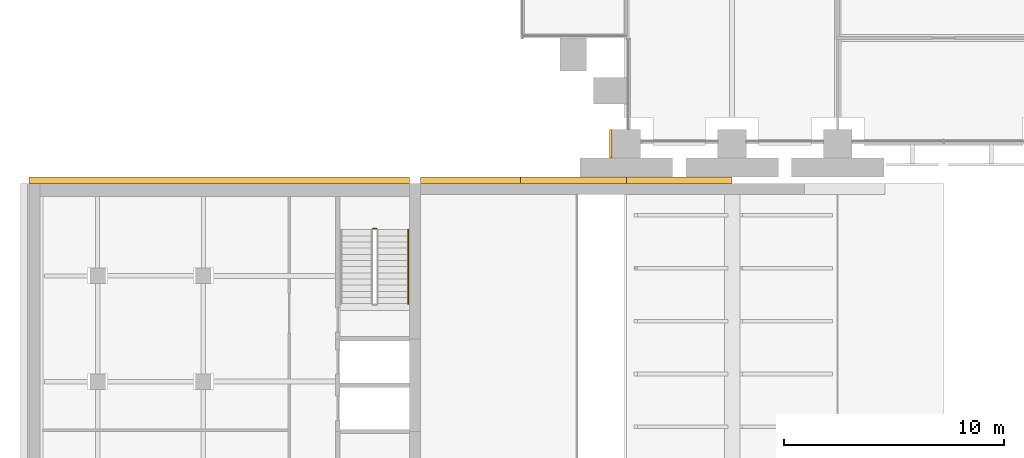
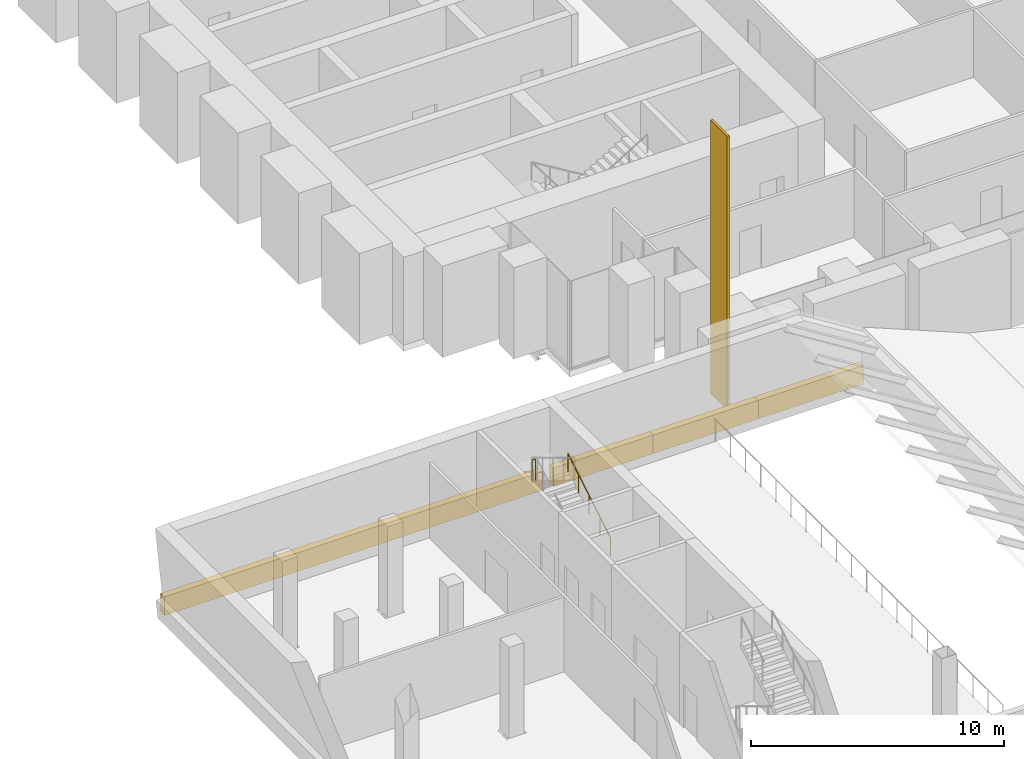
# One storey, part 28 of 32: 5 coverings, 2 railings.
"""IFC4 building model written with IfcOpenShell, lengths in metres."""

from ifc_helpers import new_model, si_unit, direction, frame, origin, origin_2d, place, context, subcontext, project, spatial, polyline, rectangle, circle, outline, extrude, material, layer, layer_set, type_object, element, save


model = new_model("IFC4")

# Units and contexts
model_context = context("Model", 3, precision=1e-05, world=origin(), true_north=direction((0.0, 1.0)))
body_context = subcontext(model_context, "Body", "Model", "MODEL_VIEW")
ifc_project = project(units=[si_unit("LENGTHUNIT", "METRE"), si_unit("AREAUNIT", "SQUARE_METRE"), si_unit("VOLUMEUNIT", "CUBIC_METRE"), si_unit("PLANEANGLEUNIT", "RADIAN"), si_unit("MASSUNIT", "GRAM", prefix="KILO")], contexts=[model_context])

# Site, building, storey
site_placement = place(None, origin())
site = spatial("IfcSite", under=ifc_project, at=site_placement, CompositionType="ELEMENT")
building_placement = place(site_placement, origin())
building = spatial("IfcBuilding", under=site, at=building_placement, Name="Baori Bourse Tower", CompositionType="ELEMENT")
storey_placement = place(building_placement, frame((0.0, 0.0, 12.60009765625)))
storey = spatial("IfcBuildingStorey", under=building, at=storey_placement, Name="L01", CompositionType="ELEMENT", Elevation=12.60009765625)

# Coverings
ifc_material_1 = material(Name="Face brick", Category="masonry")
ifc_layer_1 = layer(ifc_material_1, 0.110107421875)
ifc_layer_set_1 = layer_set([ifc_layer_1], Name="PC1 Brick pier facing")
covering_type_1 = type_object("IfcCoveringType", Name="PC1 Brick pier facing", PredefinedType="CLADDING", material=ifc_layer_set_1)
covering_1_placement = place(storey_placement, frame((8.89501953125, 0.0, 0.0), z_axis=(0.0, 0.0, 1.0), x_axis=(1.0, 0.0, 0.0)))
element("IfcCovering", 1, at=covering_1_placement, inside=storey, type_object=covering_type_1, Name="Brick pier facing L01 1", PredefinedType="CLADDING", context=body_context, shape_type="SweptSolid", body=[
    extrude(rectangle(XDim=0.110107421875, YDim=1.300048828125, at=origin_2d()), origin(), (0.0, 0.0, 1.0), 13.199951171875),
])
ifc_material_2 = material(Name="Pale anodised aluminium", Category="aluminium")
ifc_layer_2 = layer(ifc_material_2, 0.300048828125)
ifc_layer_set_2 = layer_set([ifc_layer_2], Name="Pale metal band 900x300")
covering_type_2 = type_object("IfcCoveringType", Name="Pale metal band 900x300", PredefinedType="CLADDING", material=ifc_layer_set_2)
covering_2_placement = place(storey_placement, origin())
element("IfcCovering", 2, at=covering_2_placement, inside=storey, type_object=covering_type_2, Name="BAND", PredefinedType="CLADDING", context=body_context, shape_type="SweptSolid", body=[
    extrude(outline(polyline([(0.25, -1.800048828125), (4.800048828125, -1.800048828125), (4.800048828125, -1.5), (0.25, -1.5), (0.25, -1.800048828125)])), origin(), (0.0, 0.0, 1.0), 0.89990234375),
])
covering_3_placement = place(storey_placement, origin())
element("IfcCovering", 3, at=covering_3_placement, inside=storey, type_object=covering_type_2, Name="BAND", PredefinedType="CLADDING", context=body_context, shape_type="SweptSolid", body=[
    extrude(outline(polyline([(4.800048828125, -1.800048828125), (9.60009765625, -1.800048828125), (9.60009765625, -1.5), (4.800048828125, -1.5), (4.800048828125, -1.800048828125)])), origin(), (0.0, 0.0, 1.0), 0.89990234375),
])
covering_4_placement = place(storey_placement, origin())
element("IfcCovering", 4, at=covering_4_placement, inside=storey, type_object=covering_type_2, Name="BAND", PredefinedType="CLADDING", context=body_context, shape_type="SweptSolid", body=[
    extrude(outline(polyline([(9.60009765625, -1.800048828125), (14.39990234375, -1.800048828125), (14.39990234375, -1.5), (9.60009765625, -1.5), (9.60009765625, -1.800048828125)])), origin(), (0.0, 0.0, 1.0), 0.89990234375),
])
covering_5_placement = place(storey_placement, origin())
element("IfcCovering", 5, at=covering_5_placement, inside=storey, type_object=covering_type_2, Name="BAND", PredefinedType="CLADDING", context=body_context, shape_type="SweptSolid", body=[
    extrude(outline(polyline([(-17.50537109375, -1.800048828125), (-0.25, -1.800048828125), (-0.25, -1.5), (-17.50537109375, -1.5), (-17.50537109375, -1.800048828125)])), origin(), (0.0, 0.0, 1.0), 0.89990234375),
])

# Railings
ifc_material_3 = material(Name="Stainless steel AISI 316", Category="steel")
railing_type_1 = type_object("IfcRailingType", Name="Wing guard 1100", PredefinedType="GUARDRAIL", material=ifc_material_3)
railing_1_placement = place(storey_placement, frame((-1.75, -3.85009765625, 2.199951171875)))
element("IfcRailing", 6, at=railing_1_placement, inside=storey, type_object=railing_type_1, Name="L01 W-STA stair guard 2", PredefinedType="GUARDRAIL", context=body_context, shape_type="SweptSolid", body=[
    extrude(circle(Radius=0.02392578125, at=origin_2d()), frame((0.0, 0.0, 1.076171875), z_axis=(-1.0, 0.0, 0.0), x_axis=(0.0, -1.0, 0.0)), (0.0, 0.0, 1.0), 0.14990234375),
    extrude(circle(Radius=0.02099609375, at=origin_2d()), origin(), (0.0, 0.0, 1.0), 1.052001953125),
    extrude(circle(Radius=0.02099609375, at=origin_2d()), frame((-0.14990234375, 0.0, 0.0)), (0.0, 0.0, 1.0), 1.052001953125),
])
ifc_material_4 = material(Name="Stainless steel AISI 316", Category="steel")
railing_type_2 = type_object("IfcRailingType", Name="Wing handrail 900", PredefinedType="HANDRAIL", material=ifc_material_4)
railing_2_placement = place(storey_placement, frame((-0.300048828125, -7.260009765625, 0.169189453125)))
element("IfcRailing", 7, at=railing_2_placement, inside=storey, type_object=railing_type_2, Name="L01 W-STA stair handrail 1", PredefinedType="HANDRAIL", context=body_context, shape_type="SweptSolid", body=[
    extrude(circle(Radius=0.02392578125, at=origin_2d()), frame((0.0, 0.0, 0.8759765625), z_axis=(0.0, 0.855836976705, 0.517245656632), x_axis=(-1.0, 0.0, 0.0)), (0.0, 0.0, 1.0), 3.926025390625),
    extrude(circle(Radius=0.02099609375, at=origin_2d()), origin(), (0.0, 0.0, 1.0), 0.851806640625),
    extrude(circle(Radius=0.02099609375, at=origin_2d()), frame((0.0, 0.840087890625, 0.5078125)), (0.0, 0.0, 1.0), 0.851806640625),
    extrude(circle(Radius=0.02099609375, at=origin_2d()), frame((0.0, 1.68017578125, 1.015380859375)), (0.0, 0.0, 1.0), 0.851806640625),
    extrude(circle(Radius=0.02099609375, at=origin_2d()), frame((0.0, 2.52001953125, 1.52294921875)), (0.0, 0.0, 1.0), 0.851806640625),
    extrude(circle(Radius=0.02099609375, at=origin_2d()), frame((0.0, 3.360107421875, 2.03076171875)), (0.0, 0.0, 1.0), 0.851806640625),
])

save(model, "model.ifc")
